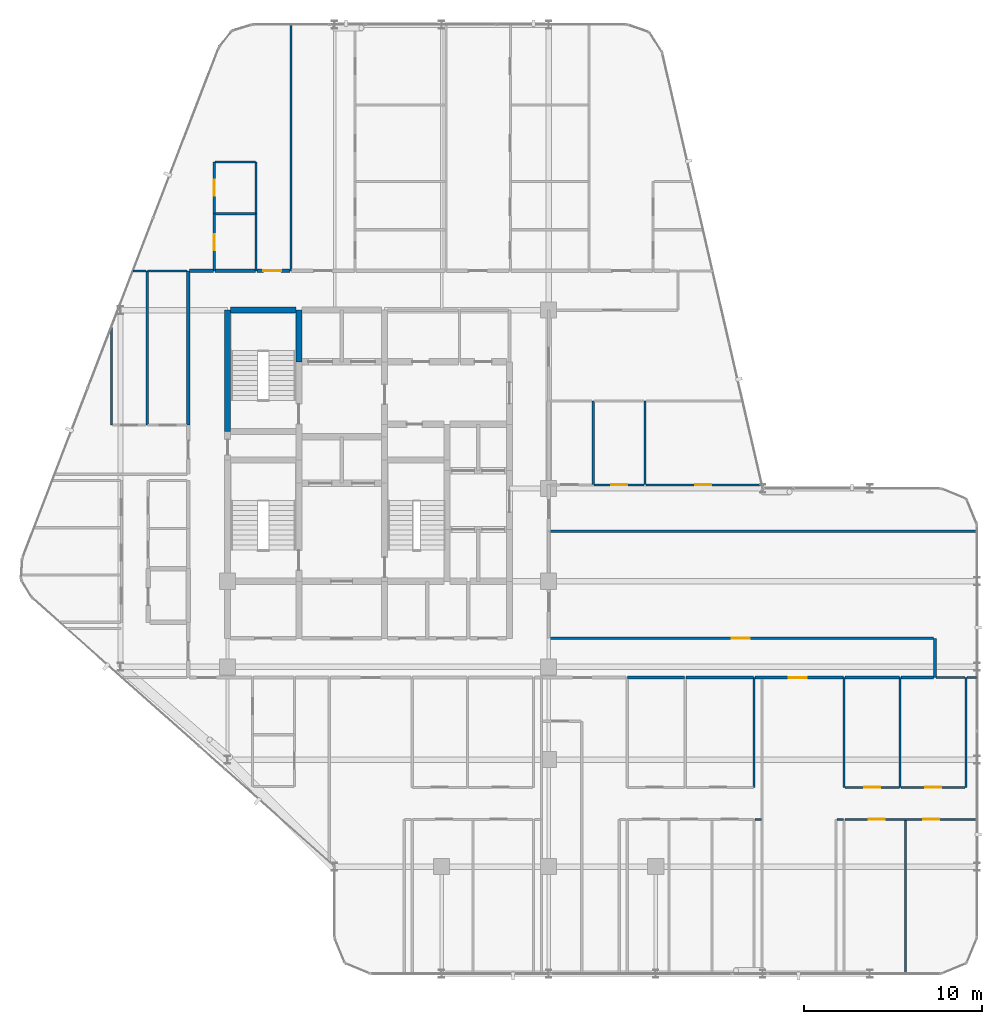
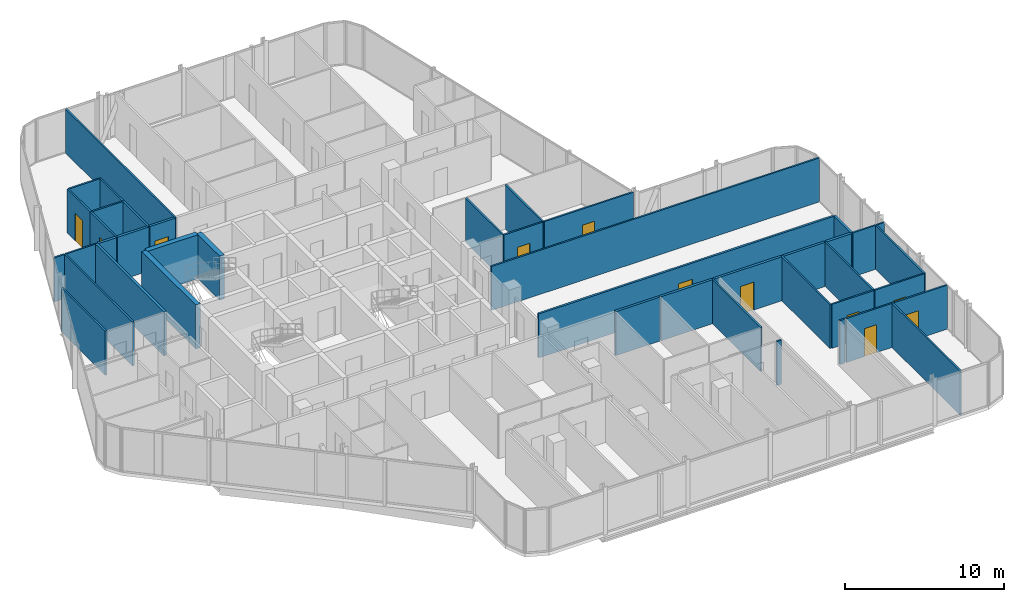
# One storey, part 26 of 29: 42 walls, 11 doors, 11 openings.
"""IFC4 building model written with IfcOpenShell, lengths in metres."""

from ifc_helpers import new_model, si_unit, direction, frame, frame_2d, origin, place, context, subcontext, project, spatial, rectangle, extrude, material, layer, layer_set, type_object, element, fill, save


model = new_model("IFC4")

# Units and contexts
model_context = context("Model", 3, precision=1e-05, world=origin(), true_north=direction((0.0, 1.0)))
body_context = subcontext(model_context, "Body", "Model", "MODEL_VIEW")
ifc_project = project(units=[si_unit("LENGTHUNIT", "METRE"), si_unit("AREAUNIT", "SQUARE_METRE"), si_unit("VOLUMEUNIT", "CUBIC_METRE"), si_unit("PLANEANGLEUNIT", "RADIAN"), si_unit("MASSUNIT", "GRAM", prefix="KILO")], contexts=[model_context])

# Site, building, storey
site_placement = place(None, origin())
site = spatial("IfcSite", under=ifc_project, at=site_placement, CompositionType="ELEMENT")
building_placement = place(site_placement, origin())
building = spatial("IfcBuilding", under=site, at=building_placement, Name="Keshet Zoharim Tower", CompositionType="ELEMENT")
storey_placement = place(building_placement, frame((0.0, 0.0, 172.800048828125)))
storey = spatial("IfcBuildingStorey", under=building, at=storey_placement, Name="L42", CompositionType="ELEMENT", Elevation=172.800048828125)

# Wall
ifc_material_1 = material(Name="Gypsum Plasterboard", Category="gypsum")
ifc_layer_1 = layer(ifc_material_1, 0.14990234375)
ifc_layer_set_1 = layer_set([ifc_layer_1], Name="Gypsum Plasterboard")
wall_type_1 = type_object("IfcWallType", Name="WL-CLIN-150", PredefinedType="STANDARD", material=ifc_layer_set_1)
wall_1_placement = place(storey_placement, frame((54.64990234375, 17.31005859375, 0.0), z_axis=(0.0, 0.0, 1.0), x_axis=(0.0, 1.0, 0.0)))
element("IfcWall", 1, at=wall_1_placement, inside=storey, type_object=wall_type_1, Name="L42 Interior Wall 102", PredefinedType="STANDARD", context=body_context, shape_type="SweptSolid", body=[
    extrude(rectangle(XDim=2.18994140625, YDim=0.14990234375, at=frame_2d((1.094970703125, 0.0))), origin(), (0.0, 0.0, 1.0), 3.389892578125),
])

# Wall, opening, door
wall_2_placement = place(storey_placement, frame((33.070068359375, 19.5, 0.0), z_axis=(0.0, 0.0, 1.0), x_axis=(1.0, 0.0, 0.0)))
wall_2 = element("IfcWall", 2, at=wall_2_placement, inside=storey, type_object=wall_type_1, Name="L42 Interior Wall 140", PredefinedType="STANDARD", context=body_context, shape_type="SweptSolid", body=[
    extrude(rectangle(XDim=21.510009765625, YDim=0.14990234375, at=frame_2d((10.7548828125, 0.0))), origin(), (0.0, 0.0, 1.0), 3.389892578125),
])
opening_1_placement = place(wall_2_placement, frame((10.18505859375, 0.0, 0.0)))
opening_1 = element("IfcOpeningElement", 3, at=opening_1_placement, cuts=wall_2, Name="Opening D-F310", PredefinedType="OPENING", context=body_context, shape_type="SweptSolid", body=[
    extrude(rectangle(XDim=1.0, YDim=2.14990234375, at=frame_2d((0.5, 1.074951171875))), frame((0.0, 0.0849609375, 0.0), z_axis=(0.0, -1.0, 0.0), x_axis=(1.0, 0.0, 0.0)), (0.0, 0.0, 1.0), 0.169921875),
])
ifc_material_2 = material(Name="Hardwood Timber", Category="wood")
door_type_1 = type_object("IfcDoorType", Name="DR-FD30-100", OperationType="NOTDEFINED", PredefinedType="DOOR", material=ifc_material_2)
door_1_placement = place(opening_1_placement, origin())
door_1 = element("IfcDoor", 4, at=door_1_placement, inside=storey, type_object=door_type_1, Name="L42 South East Residents Services Suite Door 1", OperationType="SINGLE_SWING_RIGHT", OverallHeight=2.14990234375, OverallWidth=1.0, PredefinedType="DOOR", context=body_context, shape_type="SweptSolid", body=[
    extrude(rectangle(XDim=1.0, YDim=2.14990234375, at=frame_2d((0.5, 1.074951171875))), frame((0.0, 0.02490234375, 0.0), z_axis=(0.0, -1.0, 0.0), x_axis=(1.0, 0.0, 0.0)), (0.0, 0.0, 1.0), 0.050048828125),
])
fill(opening_1, door_1)

# Walls
ifc_material_3 = material(Name="Concrete C60/75", Category="concrete")
ifc_layer_2 = layer(ifc_material_3, 0.35009765625)
ifc_layer_set_2 = layer_set([ifc_layer_2], Name="Concrete C60/75")
wall_type_2 = type_object("IfcWallType", Name="WL-CORE-350", PredefinedType="SHEAR", material=ifc_layer_set_2)
wall_3_placement = place(storey_placement, frame((15.0, 31.10009765625, 0.0), z_axis=(0.0, 0.0, 1.0), x_axis=(0.0, 1.0, 0.0)))
element("IfcWall", 5, at=wall_3_placement, inside=storey, type_object=wall_type_2, Name="L42 Core Shear Wall 018", PredefinedType="SHEAR", context=body_context, shape_type="SweptSolid", body=[
    extrude(rectangle(XDim=6.7998046875, YDim=0.35009765625, at=frame_2d((3.39990234375, 0.0))), origin(), (0.0, 0.0, 1.0), 3.389892578125),
])
wall_4_placement = place(storey_placement, frame((19.0, 35.0, 0.0), z_axis=(0.0, 0.0, 1.0), x_axis=(0.0, 1.0, 0.0)))
element("IfcWall", 6, at=wall_4_placement, inside=storey, type_object=wall_type_2, Name="L42 Core Shear Wall 030", PredefinedType="SHEAR", context=body_context, shape_type="SweptSolid", body=[
    extrude(rectangle(XDim=2.89990234375, YDim=0.35009765625, at=frame_2d((1.449951171875, 0.0))), origin(), (0.0, 0.0, 1.0), 3.389892578125),
])
wall_5_placement = place(storey_placement, frame((15.159912109375, 37.89990234375, 0.0), z_axis=(0.0, 0.0, 1.0), x_axis=(1.0, 0.0, 0.0)))
element("IfcWall", 7, at=wall_5_placement, inside=storey, type_object=wall_type_2, Name="L42 Core Shear Wall 178", PredefinedType="SHEAR", context=body_context, shape_type="SweptSolid", body=[
    extrude(rectangle(XDim=3.68017578125, YDim=0.35009765625, at=frame_2d((1.840087890625, 0.0))), origin(), (0.0, 0.0, 1.0), 3.389892578125),
])
ifc_layer_3 = layer(ifc_material_1, 0.179931640625)
ifc_layer_set_3 = layer_set([ifc_layer_3], Name="Gypsum Plasterboard")
wall_type_3 = type_object("IfcWallType", Name="WL-CORR-180", PredefinedType="STANDARD", material=ifc_layer_set_3)
wall_6_placement = place(storey_placement, frame((12.800048828125, 31.449951171875, 0.0), z_axis=(0.0, 0.0, 1.0), x_axis=(0.0, 1.0, 0.0)))
element("IfcWall", 8, at=wall_6_placement, inside=storey, type_object=wall_type_3, Name="L42 Interior Wall 012", PredefinedType="STANDARD", context=body_context, shape_type="SweptSolid", body=[
    extrude(rectangle(XDim=8.650146484375, YDim=0.179931640625, at=frame_2d((4.3251953125, 0.0))), origin(), (0.0, 0.0, 1.0), 3.389892578125),
])
wall_7_placement = place(storey_placement, frame((37.425048828125, 17.300048828125, 0.0), z_axis=(0.0, 0.0, 1.0), x_axis=(1.0, 0.0, 0.0)))
element("IfcWall", 9, at=wall_7_placement, inside=storey, type_object=wall_type_3, Name="L42 Interior Wall 129", PredefinedType="STANDARD", context=body_context, shape_type="SweptSolid", body=[
    extrude(rectangle(XDim=3.18994140625, YDim=0.179931640625, at=frame_2d((1.594970703125, 0.0))), origin(), (0.0, 0.0, 1.0), 3.389892578125),
])
wall_8_placement = place(storey_placement, frame((40.705078125, 17.300048828125, 0.0), z_axis=(0.0, 0.0, 1.0), x_axis=(1.0, 0.0, 0.0)))
element("IfcWall", 10, at=wall_8_placement, inside=storey, type_object=wall_type_3, Name="L42 Interior Wall 130", PredefinedType="STANDARD", context=body_context, shape_type="SweptSolid", body=[
    extrude(rectangle(XDim=3.760009765625, YDim=0.179931640625, at=frame_2d((1.8798828125, 0.0))), origin(), (0.0, 0.0, 1.0), 3.389892578125),
])

# Wall, opening, door
wall_9_placement = place(storey_placement, frame((44.554931640625, 17.300048828125, 0.0), z_axis=(0.0, 0.0, 1.0), x_axis=(1.0, 0.0, 0.0)))
wall_9 = element("IfcWall", 11, at=wall_9_placement, inside=storey, type_object=wall_type_3, Name="L42 Interior Wall 131", PredefinedType="STANDARD", context=body_context, shape_type="SweptSolid", body=[
    extrude(rectangle(XDim=4.969970703125, YDim=0.179931640625, at=frame_2d((2.48486328125, 0.0))), origin(), (0.0, 0.0, 1.0), 3.389892578125),
])
opening_2_placement = place(wall_9_placement, frame((1.9130859375, 0.0, 0.0)))
opening_2 = element("IfcOpeningElement", 12, at=opening_2_placement, cuts=wall_9, Name="Opening D-F310", PredefinedType="OPENING", context=body_context, shape_type="SweptSolid", body=[
    extrude(rectangle(XDim=1.0, YDim=2.14990234375, at=frame_2d((0.5, 1.074951171875))), frame((0.0, 0.10009765625, 0.0), z_axis=(0.0, -1.0, 0.0), x_axis=(1.0, 0.0, 0.0)), (0.0, 0.0, 1.0), 0.199951171875),
])
door_2_placement = place(opening_2_placement, origin())
door_2 = element("IfcDoor", 13, at=door_2_placement, inside=storey, type_object=door_type_1, Name="Apartment 4204 Entrance Door", OperationType="SINGLE_SWING_RIGHT", OverallHeight=2.14990234375, OverallWidth=1.0, PredefinedType="DOOR", context=body_context, shape_type="SweptSolid", body=[
    extrude(rectangle(XDim=1.0, YDim=2.14990234375, at=frame_2d((0.5, 1.074951171875))), frame((0.0, 0.02490234375, 0.0), z_axis=(0.0, -1.0, 0.0), x_axis=(1.0, 0.0, 0.0)), (0.0, 0.0, 1.0), 0.050048828125),
])
fill(opening_2, door_2)

# Walls
wall_10_placement = place(storey_placement, frame((49.614990234375, 17.300048828125, 0.0), z_axis=(0.0, 0.0, 1.0), x_axis=(1.0, 0.0, 0.0)))
element("IfcWall", 14, at=wall_10_placement, inside=storey, type_object=wall_type_3, Name="L42 Interior Wall 132", PredefinedType="STANDARD", context=body_context, shape_type="SweptSolid", body=[
    extrude(rectangle(XDim=3.047119140625, YDim=0.179931640625, at=frame_2d((1.5234375, 0.0))), origin(), (0.0, 0.0, 1.0), 3.389892578125),
])
wall_11_placement = place(storey_placement, frame((52.751953125, 17.300048828125, 0.0), z_axis=(0.0, 0.0, 1.0), x_axis=(1.0, 0.0, 0.0)))
element("IfcWall", 15, at=wall_11_placement, inside=storey, type_object=wall_type_3, Name="L42 Interior Wall 133", PredefinedType="STANDARD", context=body_context, shape_type="SweptSolid", body=[
    extrude(rectangle(XDim=1.828125, YDim=0.179931640625, at=frame_2d((0.9140625, 0.0))), origin(), (0.0, 0.0, 1.0), 3.389892578125),
])
wall_12_placement = place(storey_placement, frame((12.875, 40.10009765625, 0.0), z_axis=(0.0, 0.0, 1.0), x_axis=(1.0, 0.0, 0.0)))
element("IfcWall", 16, at=wall_12_placement, inside=storey, type_object=wall_type_3, Name="L42 Interior Wall 185", PredefinedType="STANDARD", context=body_context, shape_type="SweptSolid", body=[
    extrude(rectangle(XDim=1.330078125, YDim=0.179931640625, at=frame_2d((0.6650390625, 0.0))), origin(), (0.0, 0.0, 1.0), 3.389892578125),
])
wall_13_placement = place(storey_placement, frame((14.294921875, 40.10009765625, 0.0), z_axis=(0.0, 0.0, 1.0), x_axis=(1.0, 0.0, 0.0)))
element("IfcWall", 17, at=wall_13_placement, inside=storey, type_object=wall_type_3, Name="L42 Interior Wall 186", PredefinedType="STANDARD", context=body_context, shape_type="SweptSolid", body=[
    extrude(rectangle(XDim=2.260009765625, YDim=0.179931640625, at=frame_2d((1.1298828125, 0.0))), origin(), (0.0, 0.0, 1.0), 3.389892578125),
])

# Wall, opening, door
wall_14_placement = place(storey_placement, frame((16.64501953125, 40.10009765625, 0.0), z_axis=(0.0, 0.0, 1.0), x_axis=(1.0, 0.0, 0.0)))
wall_14 = element("IfcWall", 18, at=wall_14_placement, inside=storey, type_object=wall_type_3, Name="L42 Interior Wall 187", PredefinedType="STANDARD", context=body_context, shape_type="SweptSolid", body=[
    extrude(rectangle(XDim=1.85986328125, YDim=0.179931640625, at=frame_2d((0.929931640625, 0.0))), origin(), (0.0, 0.0, 1.0), 3.389892578125),
])
opening_3_placement = place(wall_14_placement, frame((0.35693359375, 0.0, 0.0)))
opening_3 = element("IfcOpeningElement", 19, at=opening_3_placement, cuts=wall_14, Name="Opening D-F310", PredefinedType="OPENING", context=body_context, shape_type="SweptSolid", body=[
    extrude(rectangle(XDim=1.0, YDim=2.14990234375, at=frame_2d((0.5, 1.074951171875))), frame((0.0, 0.10009765625, 0.0), z_axis=(0.0, -1.0, 0.0), x_axis=(1.0, 0.0, 0.0)), (0.0, 0.0, 1.0), 0.199951171875),
])
door_3_placement = place(opening_3_placement, origin())
door_3 = element("IfcDoor", 20, at=door_3_placement, inside=storey, type_object=door_type_1, Name="Apartment 4205 Entrance Door", OperationType="SINGLE_SWING_LEFT", OverallHeight=2.14990234375, OverallWidth=1.0, PredefinedType="DOOR", context=body_context, shape_type="SweptSolid", body=[
    extrude(rectangle(XDim=1.0, YDim=2.14990234375, at=frame_2d((0.5, 1.074951171875))), frame((0.0, 0.02490234375, 0.0), z_axis=(0.0, -1.0, 0.0), x_axis=(1.0, 0.0, 0.0)), (0.0, 0.0, 1.0), 0.050048828125),
])
fill(opening_3, door_3)

# Wall
ifc_layer_4 = layer(ifc_material_1, 0.1201171875)
ifc_layer_set_4 = layer_set([ifc_layer_4], Name="Gypsum Plasterboard")
wall_type_4 = type_object("IfcWallType", Name="WL-PART-120", PredefinedType="PARTITIONING", material=ifc_layer_set_4)
wall_15_placement = place(storey_placement, frame((8.5, 31.449951171875, 0.0), z_axis=(0.0, 0.0, 1.0), x_axis=(0.0, 1.0, 0.0)))
element("IfcWall", 21, at=wall_15_placement, inside=storey, type_object=wall_type_4, Name="L42 Interior Wall 001", PredefinedType="PARTITIONING", context=body_context, shape_type="SweptSolid", body=[
    extrude(rectangle(XDim=5.5400390625, YDim=0.1201171875, at=frame_2d((2.77001953125, 0.0))), origin(), (0.0, 0.0, 1.0), 3.389892578125),
])

# Wall, opening, door
wall_16_placement = place(storey_placement, frame((14.25, 40.10009765625, 0.0), z_axis=(0.0, 0.0, 1.0), x_axis=(0.0, 1.0, 0.0)))
wall_16 = element("IfcWall", 22, at=wall_16_placement, inside=storey, type_object=wall_type_4, Name="L42 Interior Wall 013", PredefinedType="PARTITIONING", context=body_context, shape_type="SweptSolid", body=[
    extrude(rectangle(XDim=3.199951171875, YDim=0.1201171875, at=frame_2d((1.60009765625, 0.0))), origin(), (0.0, 0.0, 1.0), 3.389892578125),
])
opening_4_placement = place(wall_16_placement, frame((1.14990234375, 0.0, 0.0)))
opening_4 = element("IfcOpeningElement", 23, at=opening_4_placement, cuts=wall_16, Name="Opening D-IN90", PredefinedType="OPENING", context=body_context, shape_type="SweptSolid", body=[
    extrude(rectangle(XDim=0.89990234375, YDim=2.14990234375, at=frame_2d((0.449951171875, 1.074951171875))), frame((0.0, 0.070068359375, 0.0), z_axis=(0.0, -1.0, 0.0), x_axis=(1.0, 0.0, 0.0)), (0.0, 0.0, 1.0), 0.14013671875),
])
door_type_2 = type_object("IfcDoorType", Name="DR-INT-090", OperationType="NOTDEFINED", PredefinedType="DOOR", material=ifc_material_2)
door_4_placement = place(opening_4_placement, origin())
door_4 = element("IfcDoor", 24, at=door_4_placement, inside=storey, type_object=door_type_2, Name="Apartment 4205 Kitchenette Door", OperationType="SINGLE_SWING_LEFT", OverallHeight=2.14990234375, OverallWidth=0.89990234375, PredefinedType="DOOR", context=body_context, shape_type="SweptSolid", body=[
    extrude(rectangle(XDim=0.89990234375, YDim=2.14990234375, at=frame_2d((0.449951171875, 1.074951171875))), frame((0.0, 0.02490234375, 0.0), z_axis=(0.0, -1.0, 0.0), x_axis=(1.0, 0.0, 0.0)), (0.0, 0.0, 1.0), 0.050048828125),
])
fill(opening_4, door_4)

# Walls
wall_17_placement = place(storey_placement, frame((16.60009765625, 40.10009765625, 0.0), z_axis=(0.0, 0.0, 1.0), x_axis=(0.0, 1.0, 0.0)))
element("IfcWall", 25, at=wall_17_placement, inside=storey, type_object=wall_type_4, Name="L42 Interior Wall 021", PredefinedType="PARTITIONING", context=body_context, shape_type="SweptSolid", body=[
    extrude(rectangle(XDim=3.199951171875, YDim=0.1201171875, at=frame_2d((1.60009765625, 0.0))), origin(), (0.0, 0.0, 1.0), 3.389892578125),
])
wall_18_placement = place(storey_placement, frame((18.550048828125, 40.10009765625, 0.0), z_axis=(0.0, 0.0, 1.0), x_axis=(0.0, 1.0, 0.0)))
element("IfcWall", 26, at=wall_18_placement, inside=storey, type_object=wall_type_4, Name="L42 Interior Wall 023", PredefinedType="PARTITIONING", context=body_context, shape_type="SweptSolid", body=[
    extrude(rectangle(XDim=13.789794921875, YDim=0.1201171875, at=frame_2d((6.89501953125, 0.0))), origin(), (0.0, 0.0, 1.0), 3.389892578125),
])
wall_19_placement = place(storey_placement, frame((49.550048828125, 11.14990234375, 0.0), z_axis=(0.0, 0.0, 1.0), x_axis=(0.0, 1.0, 0.0)))
element("IfcWall", 27, at=wall_19_placement, inside=storey, type_object=wall_type_4, Name="L42 Interior Wall 099", PredefinedType="PARTITIONING", context=body_context, shape_type="SweptSolid", body=[
    extrude(rectangle(XDim=6.150146484375, YDim=0.1201171875, at=frame_2d((3.0751953125, 0.0))), origin(), (0.0, 0.0, 1.0), 3.389892578125),
])
wall_20_placement = place(storey_placement, frame((53.0, 0.7099609375, 0.0), z_axis=(0.0, 0.0, 1.0), x_axis=(0.0, 1.0, 0.0)))
element("IfcWall", 28, at=wall_20_placement, inside=storey, type_object=wall_type_4, Name="L42 Interior Wall 101", PredefinedType="PARTITIONING", context=body_context, shape_type="SweptSolid", body=[
    extrude(rectangle(XDim=8.64013671875, YDim=0.1201171875, at=frame_2d((4.320068359375, 0.0))), origin(), (0.0, 0.0, 1.0), 3.389892578125),
])
wall_21_placement = place(storey_placement, frame((44.554931640625, 9.35009765625, 0.0), z_axis=(0.0, 0.0, 1.0), x_axis=(1.0, 0.0, 0.0)))
element("IfcWall", 29, at=wall_21_placement, inside=storey, type_object=wall_type_4, Name="L42 Interior Wall 109", PredefinedType="PARTITIONING", context=body_context, shape_type="SweptSolid", body=[
    extrude(rectangle(XDim=0.360107421875, YDim=0.1201171875, at=frame_2d((0.18017578125, 0.0))), origin(), (0.0, 0.0, 1.0), 3.389892578125),
])
wall_22_placement = place(storey_placement, frame((49.1650390625, 9.35009765625, 0.0), z_axis=(0.0, 0.0, 1.0), x_axis=(1.0, 0.0, 0.0)))
element("IfcWall", 30, at=wall_22_placement, inside=storey, type_object=wall_type_4, Name="L42 Interior Wall 110", PredefinedType="PARTITIONING", context=body_context, shape_type="SweptSolid", body=[
    extrude(rectangle(XDim=0.35986328125, YDim=0.1201171875, at=frame_2d((0.179931640625, 0.0))), origin(), (0.0, 0.0, 1.0), 3.389892578125),
])

# Wall, openings, doors
wall_23_placement = place(storey_placement, frame((49.614990234375, 9.35009765625, 0.0), z_axis=(0.0, 0.0, 1.0), x_axis=(1.0, 0.0, 0.0)))
wall_23 = element("IfcWall", 31, at=wall_23_placement, inside=storey, type_object=wall_type_4, Name="L42 Interior Wall 111", PredefinedType="PARTITIONING", context=body_context, shape_type="SweptSolid", body=[
    extrude(rectangle(XDim=7.375, YDim=0.1201171875, at=frame_2d((3.6875, 0.0))), origin(), (0.0, 0.0, 1.0), 3.389892578125),
])
opening_5_placement = place(wall_23_placement, frame((1.31005859375, 0.0, 0.0)))
opening_5 = element("IfcOpeningElement", 32, at=opening_5_placement, cuts=wall_23, Name="Opening D-IN90", PredefinedType="OPENING", context=body_context, shape_type="SweptSolid", body=[
    extrude(rectangle(XDim=0.89990234375, YDim=2.14990234375, at=frame_2d((0.449951171875, 1.074951171875))), frame((0.0, 0.070068359375, 0.0), z_axis=(0.0, -1.0, 0.0), x_axis=(1.0, 0.0, 0.0)), (0.0, 0.0, 1.0), 0.14013671875),
])
opening_6_placement = place(wall_23_placement, frame((4.3701171875, 0.0, 0.0)))
opening_6 = element("IfcOpeningElement", 33, at=opening_6_placement, cuts=wall_23, Name="Opening D-IN90", PredefinedType="OPENING", context=body_context, shape_type="SweptSolid", body=[
    extrude(rectangle(XDim=0.89990234375, YDim=2.14990234375, at=frame_2d((0.449951171875, 1.074951171875))), frame((0.0, 0.070068359375, 0.0), z_axis=(0.0, -1.0, 0.0), x_axis=(1.0, 0.0, 0.0)), (0.0, 0.0, 1.0), 0.14013671875),
])
door_5_placement = place(opening_5_placement, origin())
door_5 = element("IfcDoor", 34, at=door_5_placement, inside=storey, type_object=door_type_2, Name="Apartment 4204 Bedroom 1 Door", OperationType="SINGLE_SWING_RIGHT", OverallHeight=2.14990234375, OverallWidth=0.89990234375, PredefinedType="DOOR", context=body_context, shape_type="SweptSolid", body=[
    extrude(rectangle(XDim=0.89990234375, YDim=2.14990234375, at=frame_2d((0.449951171875, 1.074951171875))), frame((0.0, 0.02490234375, 0.0), z_axis=(0.0, -1.0, 0.0), x_axis=(1.0, 0.0, 0.0)), (0.0, 0.0, 1.0), 0.050048828125),
])
fill(opening_5, door_5)
door_6_placement = place(opening_6_placement, origin())
door_6 = element("IfcDoor", 35, at=door_6_placement, inside=storey, type_object=door_type_2, Name="Apartment 4204 Bedroom 2 Door", OperationType="SINGLE_SWING_LEFT", OverallHeight=2.14990234375, OverallWidth=0.89990234375, PredefinedType="DOOR", context=body_context, shape_type="SweptSolid", body=[
    extrude(rectangle(XDim=0.89990234375, YDim=2.14990234375, at=frame_2d((0.449951171875, 1.074951171875))), frame((0.0, 0.02490234375, 0.0), z_axis=(0.0, -1.0, 0.0), x_axis=(1.0, 0.0, 0.0)), (0.0, 0.0, 1.0), 0.050048828125),
])
fill(opening_6, door_6)

# Wall, opening, door
wall_24_placement = place(storey_placement, frame((49.614990234375, 11.14990234375, 0.0), z_axis=(0.0, 0.0, 1.0), x_axis=(1.0, 0.0, 0.0)))
wall_24 = element("IfcWall", 36, at=wall_24_placement, inside=storey, type_object=wall_type_4, Name="L42 Interior Wall 116", PredefinedType="PARTITIONING", context=body_context, shape_type="SweptSolid", body=[
    extrude(rectangle(XDim=3.047119140625, YDim=0.1201171875, at=frame_2d((1.5234375, 0.0))), origin(), (0.0, 0.0, 1.0), 3.389892578125),
])
opening_7_placement = place(wall_24_placement, frame((1.073974609375, 0.0, 0.0)))
opening_7 = element("IfcOpeningElement", 37, at=opening_7_placement, cuts=wall_24, Name="Opening D-IN90", PredefinedType="OPENING", context=body_context, shape_type="SweptSolid", body=[
    extrude(rectangle(XDim=0.89990234375, YDim=2.14990234375, at=frame_2d((0.449951171875, 1.074951171875))), frame((0.0, 0.070068359375, 0.0), z_axis=(0.0, -1.0, 0.0), x_axis=(1.0, 0.0, 0.0)), (0.0, 0.0, 1.0), 0.14013671875),
])
door_7_placement = place(opening_7_placement, origin())
door_7 = element("IfcDoor", 38, at=door_7_placement, inside=storey, type_object=door_type_2, Name="Apartment 4204 Kitchen Door", OperationType="SINGLE_SWING_RIGHT", OverallHeight=2.14990234375, OverallWidth=0.89990234375, PredefinedType="DOOR", context=body_context, shape_type="SweptSolid", body=[
    extrude(rectangle(XDim=0.89990234375, YDim=2.14990234375, at=frame_2d((0.449951171875, 1.074951171875))), frame((0.0, 0.02490234375, 0.0), z_axis=(0.0, -1.0, 0.0), x_axis=(1.0, 0.0, 0.0)), (0.0, 0.0, 1.0), 0.050048828125),
])
fill(opening_7, door_7)

# Walls
wall_25_placement = place(storey_placement, frame((56.43505859375, 17.300048828125, 0.0), z_axis=(0.0, 0.0, 1.0), x_axis=(1.0, 0.0, 0.0)))
element("IfcWall", 39, at=wall_25_placement, inside=storey, type_object=wall_type_4, Name="L42 Interior Wall 135", PredefinedType="PARTITIONING", context=body_context, shape_type="SweptSolid", body=[
    extrude(rectangle(XDim=0.554931640625, YDim=0.1201171875, at=frame_2d((0.27734375, 0.0))), origin(), (0.0, 0.0, 1.0), 3.389892578125),
])
wall_26_placement = place(storey_placement, frame((33.0849609375, 25.5, 0.0), z_axis=(0.0, 0.0, 1.0), x_axis=(1.0, 0.0, 0.0)))
element("IfcWall", 40, at=wall_26_placement, inside=storey, type_object=wall_type_4, Name="L42 Interior Wall 151", PredefinedType="PARTITIONING", context=body_context, shape_type="SweptSolid", body=[
    extrude(rectangle(XDim=23.905029296875, YDim=0.1201171875, at=frame_2d((11.95263671875, 0.0))), origin(), (0.0, 0.0, 1.0), 3.389892578125),
])

# Wall, opening, door
wall_27_placement = place(storey_placement, frame((38.445068359375, 28.10009765625, 0.0), z_axis=(0.0, 0.0, 1.0), x_axis=(1.0, 0.0, 0.0)))
wall_27 = element("IfcWall", 41, at=wall_27_placement, inside=storey, type_object=wall_type_4, Name="L42 Interior Wall 157", PredefinedType="PARTITIONING", context=body_context, shape_type="SweptSolid", body=[
    extrude(rectangle(XDim=6.4990234375, YDim=0.1201171875, at=frame_2d((3.24951171875, 0.0))), origin(), (0.0, 0.0, 1.0), 3.389892578125),
])
opening_8_placement = place(wall_27_placement, frame((2.77392578125, 0.0, 0.0)))
opening_8 = element("IfcOpeningElement", 42, at=opening_8_placement, cuts=wall_27, Name="Opening D-IN90", PredefinedType="OPENING", context=body_context, shape_type="SweptSolid", body=[
    extrude(rectangle(XDim=0.89990234375, YDim=2.14990234375, at=frame_2d((0.449951171875, 1.074951171875))), frame((0.0, 0.070068359375, 0.0), z_axis=(0.0, -1.0, 0.0), x_axis=(1.0, 0.0, 0.0)), (0.0, 0.0, 1.0), 0.14013671875),
])
door_8_placement = place(opening_8_placement, origin())
door_8 = element("IfcDoor", 43, at=door_8_placement, inside=storey, type_object=door_type_2, Name="Apartment 4211 Bedroom 1 Door", OperationType="SINGLE_SWING_RIGHT", OverallHeight=2.14990234375, OverallWidth=0.89990234375, PredefinedType="DOOR", context=body_context, shape_type="SweptSolid", body=[
    extrude(rectangle(XDim=0.89990234375, YDim=2.14990234375, at=frame_2d((0.449951171875, 1.074951171875))), frame((0.0, 0.02490234375, 0.0), z_axis=(0.0, -1.0, 0.0), x_axis=(1.0, 0.0, 0.0)), (0.0, 0.0, 1.0), 0.050048828125),
])
fill(opening_8, door_8)

# Walls
wall_28_placement = place(storey_placement, frame((9.701904296875, 40.10009765625, 0.0), z_axis=(0.0, 0.0, 1.0), x_axis=(1.0, 0.0, 0.0)))
element("IfcWall", 44, at=wall_28_placement, inside=storey, type_object=wall_type_4, Name="L42 Interior Wall 183", PredefinedType="PARTITIONING", context=body_context, shape_type="SweptSolid", body=[
    extrude(rectangle(XDim=0.731201171875, YDim=0.1201171875, at=frame_2d((0.36572265625, 0.0))), origin(), (0.0, 0.0, 1.0), 3.389892578125),
])
ifc_layer_5 = layer(ifc_material_1, 0.1201171875)
ifc_layer_set_5 = layer_set([ifc_layer_5], Name="Gypsum Plasterboard")
wall_type_5 = type_object("IfcWallType", Name="WL-WET-120", PredefinedType="PARTITIONING", material=ifc_layer_set_5)
wall_29_placement = place(storey_placement, frame((10.5, 31.449951171875, 0.0), z_axis=(0.0, 0.0, 1.0), x_axis=(0.0, 1.0, 0.0)))
element("IfcWall", 45, at=wall_29_placement, inside=storey, type_object=wall_type_5, Name="L42 Interior Wall 003", PredefinedType="PARTITIONING", context=body_context, shape_type="SweptSolid", body=[
    extrude(rectangle(XDim=8.650146484375, YDim=0.1201171875, at=frame_2d((4.3251953125, 0.0))), origin(), (0.0, 0.0, 1.0), 3.389892578125),
])

# Wall, opening, door
wall_30_placement = place(storey_placement, frame((14.25, 43.300048828125, 0.0), z_axis=(0.0, 0.0, 1.0), x_axis=(0.0, 1.0, 0.0)))
wall_30 = element("IfcWall", 46, at=wall_30_placement, inside=storey, type_object=wall_type_5, Name="L42 Interior Wall 014", PredefinedType="PARTITIONING", context=body_context, shape_type="SweptSolid", body=[
    extrude(rectangle(XDim=2.89990234375, YDim=0.1201171875, at=frame_2d((1.449951171875, 0.0))), origin(), (0.0, 0.0, 1.0), 3.389892578125),
])
opening_9_placement = place(wall_30_placement, frame((1.0, 0.0, 0.0)))
opening_9 = element("IfcOpeningElement", 47, at=opening_9_placement, cuts=wall_30, Name="Opening D-WT90", PredefinedType="OPENING", context=body_context, shape_type="SweptSolid", body=[
    extrude(rectangle(XDim=0.89990234375, YDim=2.10009765625, at=frame_2d((0.449951171875, 1.050048828125))), frame((0.0, 0.070068359375, 0.0), z_axis=(0.0, -1.0, 0.0), x_axis=(1.0, 0.0, 0.0)), (0.0, 0.0, 1.0), 0.14013671875),
])
door_type_3 = type_object("IfcDoorType", Name="DR-WET-090", OperationType="NOTDEFINED", PredefinedType="DOOR", material=ifc_material_2)
door_9_placement = place(opening_9_placement, origin())
door_9 = element("IfcDoor", 48, at=door_9_placement, inside=storey, type_object=door_type_3, Name="Apartment 4205 Bathroom Door", OperationType="SINGLE_SWING_RIGHT", OverallHeight=2.10009765625, OverallWidth=0.89990234375, PredefinedType="DOOR", context=body_context, shape_type="SweptSolid", body=[
    extrude(rectangle(XDim=0.89990234375, YDim=2.10009765625, at=frame_2d((0.449951171875, 1.050048828125))), frame((0.0, 0.02490234375, 0.0), z_axis=(0.0, -1.0, 0.0), x_axis=(1.0, 0.0, 0.0)), (0.0, 0.0, 1.0), 0.050048828125),
])
fill(opening_9, door_9)

# Walls
wall_31_placement = place(storey_placement, frame((16.60009765625, 43.300048828125, 0.0), z_axis=(0.0, 0.0, 1.0), x_axis=(0.0, 1.0, 0.0)))
element("IfcWall", 49, at=wall_31_placement, inside=storey, type_object=wall_type_5, Name="L42 Interior Wall 022", PredefinedType="PARTITIONING", context=body_context, shape_type="SweptSolid", body=[
    extrude(rectangle(XDim=2.89990234375, YDim=0.1201171875, at=frame_2d((1.449951171875, 0.0))), origin(), (0.0, 0.0, 1.0), 3.389892578125),
])
for number, where, z_axis, x_axis, name in (
    (50, (35.5, 28.110107421875, 0.0), (0.0, 0.0, 1.0), (0.0, 1.0, 0.0), "L42 Interior Wall 083"),
    (51, (38.39990234375, 28.110107421875, 0.0), (0.0, 0.0, 1.0), (0.0, 1.0, 0.0), "L42 Interior Wall 087"),
):
    element("IfcWall", number, at=place(storey_placement, frame(where, z_axis=z_axis, x_axis=x_axis)), inside=storey, type_object=wall_type_5, Name=name, PredefinedType="PARTITIONING", context=body_context, shape_type="SweptSolid", body=[
        extrude(rectangle(XDim=4.68994140625, YDim=0.1201171875, at=frame_2d((2.344970703125, 0.0))), origin(), (0.0, 0.0, 1.0), 3.389892578125),
    ])
for number, where, z_axis, x_axis, name in (
    (52, (44.5, 11.14990234375, 0.0), (0.0, 0.0, 1.0), (0.0, 1.0, 0.0), "L42 Interior Wall 095"),
    (53, (52.699951171875, 11.14990234375, 0.0), (0.0, 0.0, 1.0), (0.0, 1.0, 0.0), "L42 Interior Wall 100"),
    (54, (56.39990234375, 11.14990234375, 0.0), (0.0, 0.0, 1.0), (0.0, 1.0, 0.0), "L42 Interior Wall 103"),
):
    element("IfcWall", number, at=place(storey_placement, frame(where, z_axis=z_axis, x_axis=x_axis)), inside=storey, type_object=wall_type_5, Name=name, PredefinedType="PARTITIONING", context=body_context, shape_type="SweptSolid", body=[
        extrude(rectangle(XDim=6.150146484375, YDim=0.1201171875, at=frame_2d((3.0751953125, 0.0))), origin(), (0.0, 0.0, 1.0), 3.389892578125),
    ])

# Wall, opening, door
wall_32_placement = place(storey_placement, frame((52.751953125, 11.14990234375, 0.0), z_axis=(0.0, 0.0, 1.0), x_axis=(1.0, 0.0, 0.0)))
wall_32 = element("IfcWall", 55, at=wall_32_placement, inside=storey, type_object=wall_type_5, Name="L42 Interior Wall 117", PredefinedType="PARTITIONING", context=body_context, shape_type="SweptSolid", body=[
    extrude(rectangle(XDim=3.593017578125, YDim=0.1201171875, at=frame_2d((1.79638671875, 0.0))), origin(), (0.0, 0.0, 1.0), 3.389892578125),
])
opening_10_placement = place(wall_32_placement, frame((1.346923828125, 0.0, 0.0)))
opening_10 = element("IfcOpeningElement", 56, at=opening_10_placement, cuts=wall_32, Name="Opening D-WT90", PredefinedType="OPENING", context=body_context, shape_type="SweptSolid", body=[
    extrude(rectangle(XDim=0.89990234375, YDim=2.10009765625, at=frame_2d((0.449951171875, 1.050048828125))), frame((0.0, 0.070068359375, 0.0), z_axis=(0.0, -1.0, 0.0), x_axis=(1.0, 0.0, 0.0)), (0.0, 0.0, 1.0), 0.14013671875),
])
door_10_placement = place(opening_10_placement, origin())
door_10 = element("IfcDoor", 57, at=door_10_placement, inside=storey, type_object=door_type_3, Name="Apartment 4204 Bathroom Door", OperationType="SINGLE_SWING_LEFT", OverallHeight=2.10009765625, OverallWidth=0.89990234375, PredefinedType="DOOR", context=body_context, shape_type="SweptSolid", body=[
    extrude(rectangle(XDim=0.89990234375, YDim=2.10009765625, at=frame_2d((0.449951171875, 1.050048828125))), frame((0.0, 0.02490234375, 0.0), z_axis=(0.0, -1.0, 0.0), x_axis=(1.0, 0.0, 0.0)), (0.0, 0.0, 1.0), 0.050048828125),
])
fill(opening_10, door_10)

# Wall
wall_33_placement = place(storey_placement, frame((54.7099609375, 17.300048828125, 0.0), z_axis=(0.0, 0.0, 1.0), x_axis=(1.0, 0.0, 0.0)))
element("IfcWall", 58, at=wall_33_placement, inside=storey, type_object=wall_type_5, Name="L42 Interior Wall 134", PredefinedType="PARTITIONING", context=body_context, shape_type="SweptSolid", body=[
    extrude(rectangle(XDim=1.635009765625, YDim=0.1201171875, at=frame_2d((0.8173828125, 0.0))), origin(), (0.0, 0.0, 1.0), 3.389892578125),
])

# Wall, opening, door
wall_34_placement = place(storey_placement, frame((35.529052734375, 28.10009765625, 0.0), z_axis=(0.0, 0.0, 1.0), x_axis=(1.0, 0.0, 0.0)))
wall_34 = element("IfcWall", 59, at=wall_34_placement, inside=storey, type_object=wall_type_5, Name="L42 Interior Wall 156", PredefinedType="PARTITIONING", context=body_context, shape_type="SweptSolid", body=[
    extrude(rectangle(XDim=2.825927734375, YDim=0.1201171875, at=frame_2d((1.4130859375, 0.0))), origin(), (0.0, 0.0, 1.0), 3.389892578125),
])
opening_11_placement = place(wall_34_placement, frame((0.962890625, 0.0, 0.0)))
opening_11 = element("IfcOpeningElement", 60, at=opening_11_placement, cuts=wall_34, Name="Opening D-WT90", PredefinedType="OPENING", context=body_context, shape_type="SweptSolid", body=[
    extrude(rectangle(XDim=0.89990234375, YDim=2.10009765625, at=frame_2d((0.449951171875, 1.050048828125))), frame((0.0, 0.070068359375, 0.0), z_axis=(0.0, -1.0, 0.0), x_axis=(1.0, 0.0, 0.0)), (0.0, 0.0, 1.0), 0.14013671875),
])
door_11_placement = place(opening_11_placement, origin())
door_11 = element("IfcDoor", 61, at=door_11_placement, inside=storey, type_object=door_type_3, Name="Apartment 4211 Bathroom Door", OperationType="SINGLE_SWING_LEFT", OverallHeight=2.10009765625, OverallWidth=0.89990234375, PredefinedType="DOOR", context=body_context, shape_type="SweptSolid", body=[
    extrude(rectangle(XDim=0.89990234375, YDim=2.10009765625, at=frame_2d((0.449951171875, 1.050048828125))), frame((0.0, 0.02490234375, 0.0), z_axis=(0.0, -1.0, 0.0), x_axis=(1.0, 0.0, 0.0)), (0.0, 0.0, 1.0), 0.050048828125),
])
fill(opening_11, door_11)

# Walls
wall_35_placement = place(storey_placement, frame((10.52294921875, 40.10009765625, 0.0), z_axis=(0.0, 0.0, 1.0), x_axis=(1.0, 0.0, 0.0)))
element("IfcWall", 62, at=wall_35_placement, inside=storey, type_object=wall_type_5, Name="L42 Interior Wall 184", PredefinedType="PARTITIONING", context=body_context, shape_type="SweptSolid", body=[
    extrude(rectangle(XDim=2.2021484375, YDim=0.1201171875, at=frame_2d((1.10107421875, 0.0))), origin(), (0.0, 0.0, 1.0), 3.389892578125),
])
for number, where, z_axis, x_axis, name in (
    (63, (14.294921875, 43.300048828125, 0.0), (0.0, 0.0, 1.0), (1.0, 0.0, 0.0), "L42 Interior Wall 199"),
    (64, (14.294921875, 46.199951171875, 0.0), (0.0, 0.0, 1.0), (1.0, 0.0, 0.0), "L42 Interior Wall 203"),
):
    element("IfcWall", number, at=place(storey_placement, frame(where, z_axis=z_axis, x_axis=x_axis)), inside=storey, type_object=wall_type_5, Name=name, PredefinedType="PARTITIONING", context=body_context, shape_type="SweptSolid", body=[
        extrude(rectangle(XDim=2.260009765625, YDim=0.1201171875, at=frame_2d((1.1298828125, 0.0))), origin(), (0.0, 0.0, 1.0), 3.389892578125),
    ])

save(model, "model.ifc")
